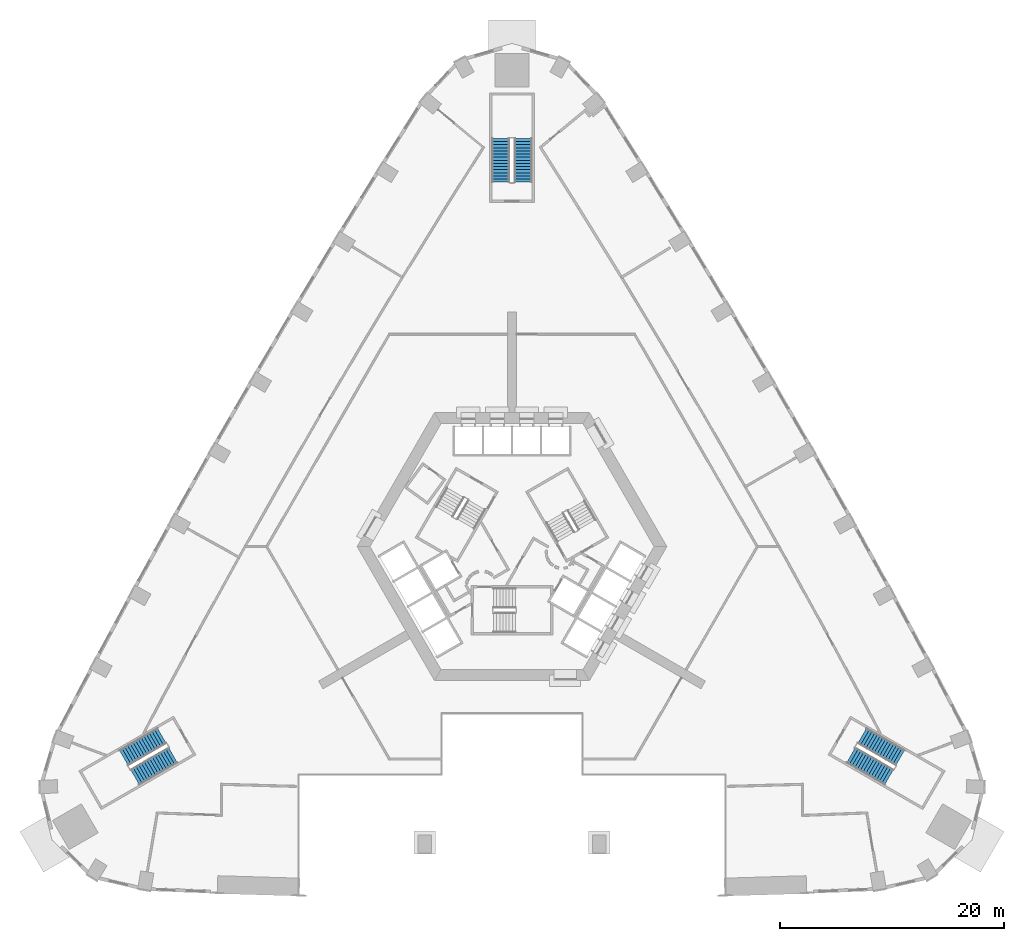
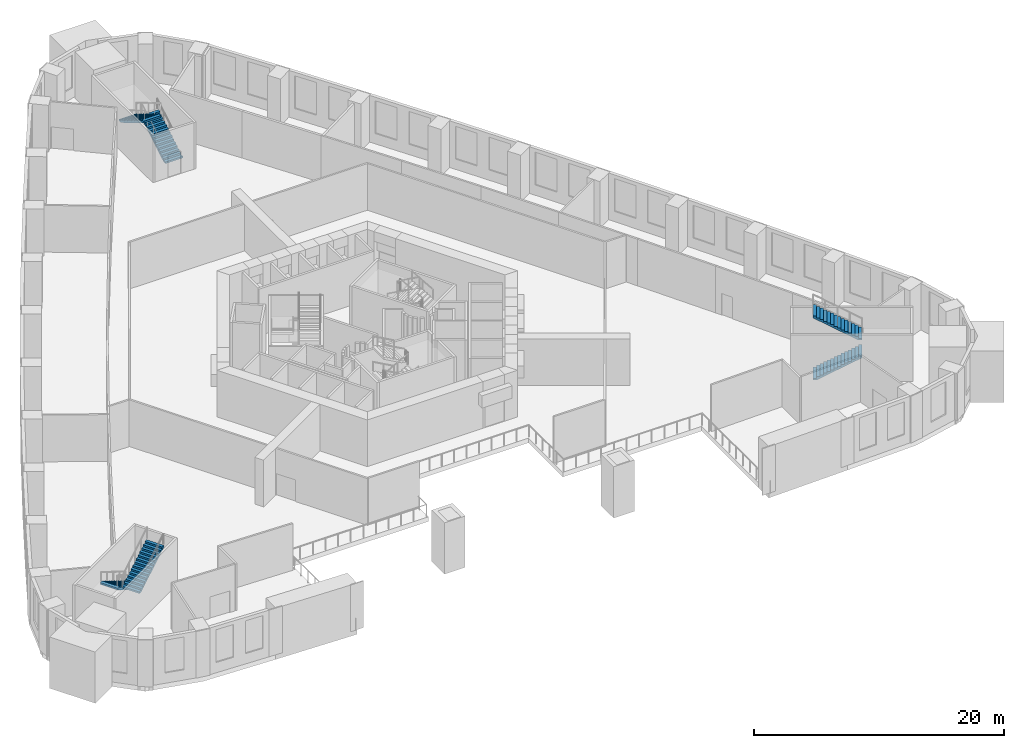
# One storey, part 9 of 16: 6 stair flights, 3 elements without a shape of their own.
"""IFC4 building model written with IfcOpenShell, lengths in metres."""

from ifc_helpers import new_model, si_unit, direction, frame, origin, place, context, subcontext, project, spatial, polyline, outline, extrude, material, type_object, element, aggregate, save


model = new_model("IFC4")

# Units and contexts
model_context = context("Model", 3, precision=1e-05, world=origin(), true_north=direction((0.0, 1.0)))
body_context = subcontext(model_context, "Body", "Model", "MODEL_VIEW")
ifc_project = project(units=[si_unit("LENGTHUNIT", "METRE"), si_unit("AREAUNIT", "SQUARE_METRE"), si_unit("VOLUMEUNIT", "CUBIC_METRE"), si_unit("PLANEANGLEUNIT", "RADIAN"), si_unit("MASSUNIT", "GRAM", prefix="KILO")], contexts=[model_context])

# Site, building, storey
site_placement = place(None, origin())
site = spatial("IfcSite", under=ifc_project, at=site_placement, CompositionType="ELEMENT")
building_placement = place(site_placement, origin())
building = spatial("IfcBuilding", under=site, at=building_placement, Name="Entoto Arch Interchange Tower", CompositionType="ELEMENT")
storey_placement = place(building_placement, frame((0.0, 0.0, 20.0)))
storey = spatial("IfcBuildingStorey", under=building, at=storey_placement, Name="L03", CompositionType="ELEMENT", Elevation=20.0)

# Stair, stair flights
ifc_material = material(Name="Concrete C40/50", Category="concrete")
stair_type = type_object("IfcStairType", Name="PODIUM EXIT STAIR RC 1600", PredefinedType="HALF_TURN_STAIR", material=ifc_material)
stair_1_placement = place(storey_placement, origin())
stair_1 = element("IfcStair", 1, at=stair_1_placement, inside=storey, type_object=stair_type, Name="L03 Podium exit stair north", PredefinedType="HALF_TURN_STAIR")
stair_flight_type = type_object("IfcStairFlightType", Name="PODIUM EXIT STAIR FLIGHT RC", PredefinedType="STRAIGHT", material=ifc_material)
stair_flight_1_placement = place(storey_placement, frame((1.0, 35.10009765625, 0.0), z_axis=(0.0, 0.0, 1.0), x_axis=(0.0, 1.0, 0.0)))
stair_flight_1 = element("IfcStairFlight", 2, at=stair_flight_1_placement, type_object=stair_flight_type, Name="PST-N flight 1", NumberOfRisers=15, NumberOfTreads=14, PredefinedType="STRAIGHT", RiserHeight=0.166666667, TreadLength=0.28, context=body_context, shape_type="SweptSolid", body=[
    extrude(outline(polyline([(-0.0029296875, 0.0), (-0.0029296875, 0.166748046875), (0.280029296875, 0.166748046875), (0.280029296875, 0.333251953125), (0.56005859375, 0.333251953125), (0.56005859375, 0.5), (0.840087890625, 0.5), (0.840087890625, 0.666748046875), (1.1201171875, 0.666748046875), (1.1201171875, 0.833251953125), (1.39990234375, 0.833251953125), (1.39990234375, 1.0), (1.679931640625, 1.0), (1.679931640625, 1.166748046875), (1.9599609375, 1.166748046875), (1.9599609375, 1.333251953125), (2.239990234375, 1.333251953125), (2.239990234375, 1.5), (2.52001953125, 1.5), (2.52001953125, 1.666748046875), (2.800048828125, 1.666748046875), (2.800048828125, 1.833251953125), (3.080078125, 1.833251953125), (3.080078125, 2.0), (3.360107421875, 2.0), (3.360107421875, 2.166748046875), (3.639892578125, 2.166748046875), (3.639892578125, 2.333251953125), (3.919921875, 2.333251953125), (3.923095703125, 2.333251953125), (3.923095703125, 2.16064453125), (0.29296875, 0.0), (-0.0029296875, 0.0)])), frame((0.0, 0.800048828125, 0.0), z_axis=(0.0, -1.0, 0.0), x_axis=(1.0, 0.0, 0.0)), (0.0, 0.0, 1.0), 1.60009765625),
])
stair_flight_2_placement = place(storey_placement, frame((-1.0, 39.02001953125, 2.5), z_axis=(0.0, 0.0, 1.0), x_axis=(0.0, -1.0, 0.0)))
stair_flight_2 = element("IfcStairFlight", 3, at=stair_flight_2_placement, type_object=stair_flight_type, Name="PST-N flight 2", NumberOfRisers=15, NumberOfTreads=14, PredefinedType="STRAIGHT", RiserHeight=0.166666667, TreadLength=0.28, context=body_context, shape_type="SweptSolid", body=[
    extrude(outline(polyline([(-0.0029296875, 0.0), (-0.0029296875, 0.166748046875), (0.280029296875, 0.166748046875), (0.280029296875, 0.333251953125), (0.56005859375, 0.333251953125), (0.56005859375, 0.5), (0.840087890625, 0.5), (0.840087890625, 0.666748046875), (1.1201171875, 0.666748046875), (1.1201171875, 0.833251953125), (1.39990234375, 0.833251953125), (1.39990234375, 1.0), (1.679931640625, 1.0), (1.679931640625, 1.166748046875), (1.9599609375, 1.166748046875), (1.9599609375, 1.333251953125), (2.239990234375, 1.333251953125), (2.239990234375, 1.5), (2.52001953125, 1.5), (2.52001953125, 1.666748046875), (2.800048828125, 1.666748046875), (2.800048828125, 1.833251953125), (3.080078125, 1.833251953125), (3.080078125, 2.0), (3.360107421875, 2.0), (3.360107421875, 2.166748046875), (3.639892578125, 2.166748046875), (3.639892578125, 2.333251953125), (3.919921875, 2.333251953125), (3.923095703125, 2.333251953125), (3.923095703125, 2.16064453125), (0.29296875, 0.0), (-0.0029296875, 0.0)])), frame((0.0, 0.800048828125, 0.0), z_axis=(0.0, -1.0, 0.0), x_axis=(1.0, 0.0, 0.0)), (0.0, 0.0, 1.0), 1.60009765625),
])
aggregate(stair_1, [stair_flight_1, stair_flight_2])

stair_2_placement = place(storey_placement, origin())
stair_2 = element("IfcStair", 4, at=stair_2_placement, inside=storey, type_object=stair_type, Name="L03 Podium exit stair south-west", PredefinedType="HALF_TURN_STAIR")
stair_flight_3_placement = place(storey_placement, frame((-31.33056640625, -14.43408203125, 0.0), z_axis=(0.0, 0.0, 1.0), x_axis=(-0.866025403784, -0.5, 0.0)))
stair_flight_3 = element("IfcStairFlight", 5, at=stair_flight_3_placement, type_object=stair_flight_type, Name="PST-SW flight 1", NumberOfRisers=15, NumberOfTreads=14, PredefinedType="STRAIGHT", RiserHeight=0.166666667, TreadLength=0.28, context=body_context, shape_type="SweptSolid", body=[
    extrude(outline(polyline([(-0.0029296875, 0.0), (-0.0029296875, 0.166748046875), (0.280029296875, 0.166748046875), (0.280029296875, 0.333251953125), (0.56005859375, 0.333251953125), (0.56005859375, 0.5), (0.840087890625, 0.5), (0.840087890625, 0.666748046875), (1.1201171875, 0.666748046875), (1.1201171875, 0.833251953125), (1.39990234375, 0.833251953125), (1.39990234375, 1.0), (1.679931640625, 1.0), (1.679931640625, 1.166748046875), (1.9599609375, 1.166748046875), (1.9599609375, 1.333251953125), (2.239990234375, 1.333251953125), (2.239990234375, 1.5), (2.52001953125, 1.5), (2.52001953125, 1.666748046875), (2.800048828125, 1.666748046875), (2.800048828125, 1.833251953125), (3.080078125, 1.833251953125), (3.080078125, 2.0), (3.360107421875, 2.0), (3.360107421875, 2.166748046875), (3.639892578125, 2.166748046875), (3.639892578125, 2.333251953125), (3.919921875, 2.333251953125), (3.923095703125, 2.333251953125), (3.923095703125, 2.16064453125), (0.29296875, 0.0), (-0.0029296875, 0.0)])), frame((0.0, 0.800048828125, 0.0), z_axis=(0.0, -1.0, 0.0), x_axis=(1.0, 0.0, 0.0)), (0.0, 0.0, 1.0), 1.60009765625),
])
stair_flight_4_placement = place(storey_placement, frame((-33.725341796875, -18.1259765625, 2.5), z_axis=(0.0, 0.0, 1.0), x_axis=(0.866025403784, 0.5, 0.0)))
stair_flight_4 = element("IfcStairFlight", 6, at=stair_flight_4_placement, type_object=stair_flight_type, Name="PST-SW flight 2", NumberOfRisers=15, NumberOfTreads=14, PredefinedType="STRAIGHT", RiserHeight=0.166666667, TreadLength=0.28, context=body_context, shape_type="SweptSolid", body=[
    extrude(outline(polyline([(-0.0029296875, 0.0), (-0.0029296875, 0.166748046875), (0.280029296875, 0.166748046875), (0.280029296875, 0.333251953125), (0.56005859375, 0.333251953125), (0.56005859375, 0.5), (0.840087890625, 0.5), (0.840087890625, 0.666748046875), (1.1201171875, 0.666748046875), (1.1201171875, 0.833251953125), (1.39990234375, 0.833251953125), (1.39990234375, 1.0), (1.679931640625, 1.0), (1.679931640625, 1.166748046875), (1.9599609375, 1.166748046875), (1.9599609375, 1.333251953125), (2.239990234375, 1.333251953125), (2.239990234375, 1.5), (2.52001953125, 1.5), (2.52001953125, 1.666748046875), (2.800048828125, 1.666748046875), (2.800048828125, 1.833251953125), (3.080078125, 1.833251953125), (3.080078125, 2.0), (3.360107421875, 2.0), (3.360107421875, 2.166748046875), (3.639892578125, 2.166748046875), (3.639892578125, 2.333251953125), (3.919921875, 2.333251953125), (3.923095703125, 2.333251953125), (3.923095703125, 2.16064453125), (0.29296875, 0.0), (-0.0029296875, 0.0)])), frame((0.0, 0.800048828125, 0.0), z_axis=(0.0, -1.0, 0.0), x_axis=(1.0, 0.0, 0.0)), (0.0, 0.0, 1.0), 1.60009765625),
])
aggregate(stair_2, [stair_flight_3, stair_flight_4])

stair_3_placement = place(storey_placement, origin())
stair_3 = element("IfcStair", 7, at=stair_3_placement, inside=storey, type_object=stair_type, Name="L03 Podium exit stair south-east", PredefinedType="HALF_TURN_STAIR")
stair_flight_5_placement = place(storey_placement, frame((30.33056640625, -16.166015625, 0.0), z_axis=(0.0, 0.0, 1.0), x_axis=(0.866025403784, -0.5, 0.0)))
stair_flight_5 = element("IfcStairFlight", 8, at=stair_flight_5_placement, type_object=stair_flight_type, Name="PST-SE flight 1", NumberOfRisers=15, NumberOfTreads=14, PredefinedType="STRAIGHT", RiserHeight=0.166666667, TreadLength=0.28, context=body_context, shape_type="SweptSolid", body=[
    extrude(outline(polyline([(-0.0029296875, 0.0), (-0.0029296875, 0.166748046875), (0.280029296875, 0.166748046875), (0.280029296875, 0.333251953125), (0.56005859375, 0.333251953125), (0.56005859375, 0.5), (0.840087890625, 0.5), (0.840087890625, 0.666748046875), (1.1201171875, 0.666748046875), (1.1201171875, 0.833251953125), (1.39990234375, 0.833251953125), (1.39990234375, 1.0), (1.679931640625, 1.0), (1.679931640625, 1.166748046875), (1.9599609375, 1.166748046875), (1.9599609375, 1.333251953125), (2.239990234375, 1.333251953125), (2.239990234375, 1.5), (2.52001953125, 1.5), (2.52001953125, 1.666748046875), (2.800048828125, 1.666748046875), (2.800048828125, 1.833251953125), (3.080078125, 1.833251953125), (3.080078125, 2.0), (3.360107421875, 2.0), (3.360107421875, 2.166748046875), (3.639892578125, 2.166748046875), (3.639892578125, 2.333251953125), (3.919921875, 2.333251953125), (3.923095703125, 2.333251953125), (3.923095703125, 2.16064453125), (0.29296875, 0.0), (-0.0029296875, 0.0)])), frame((0.0, 0.800048828125, 0.0), z_axis=(0.0, -1.0, 0.0), x_axis=(1.0, 0.0, 0.0)), (0.0, 0.0, 1.0), 1.60009765625),
])
stair_flight_6_placement = place(storey_placement, frame((34.725341796875, -16.39404296875, 2.5), z_axis=(0.0, 0.0, 1.0), x_axis=(-0.866025403784, 0.5, 0.0)))
stair_flight_6 = element("IfcStairFlight", 9, at=stair_flight_6_placement, type_object=stair_flight_type, Name="PST-SE flight 2", NumberOfRisers=15, NumberOfTreads=14, PredefinedType="STRAIGHT", RiserHeight=0.166666667, TreadLength=0.28, context=body_context, shape_type="SweptSolid", body=[
    extrude(outline(polyline([(-0.0029296875, 0.0), (-0.0029296875, 0.166748046875), (0.280029296875, 0.166748046875), (0.280029296875, 0.333251953125), (0.56005859375, 0.333251953125), (0.56005859375, 0.5), (0.840087890625, 0.5), (0.840087890625, 0.666748046875), (1.1201171875, 0.666748046875), (1.1201171875, 0.833251953125), (1.39990234375, 0.833251953125), (1.39990234375, 1.0), (1.679931640625, 1.0), (1.679931640625, 1.166748046875), (1.9599609375, 1.166748046875), (1.9599609375, 1.333251953125), (2.239990234375, 1.333251953125), (2.239990234375, 1.5), (2.52001953125, 1.5), (2.52001953125, 1.666748046875), (2.800048828125, 1.666748046875), (2.800048828125, 1.833251953125), (3.080078125, 1.833251953125), (3.080078125, 2.0), (3.360107421875, 2.0), (3.360107421875, 2.166748046875), (3.639892578125, 2.166748046875), (3.639892578125, 2.333251953125), (3.919921875, 2.333251953125), (3.923095703125, 2.333251953125), (3.923095703125, 2.16064453125), (0.29296875, 0.0), (-0.0029296875, 0.0)])), frame((0.0, 0.800048828125, 0.0), z_axis=(0.0, -1.0, 0.0), x_axis=(1.0, 0.0, 0.0)), (0.0, 0.0, 1.0), 1.60009765625),
])
aggregate(stair_3, [stair_flight_5, stair_flight_6])

save(model, "model.ifc")
